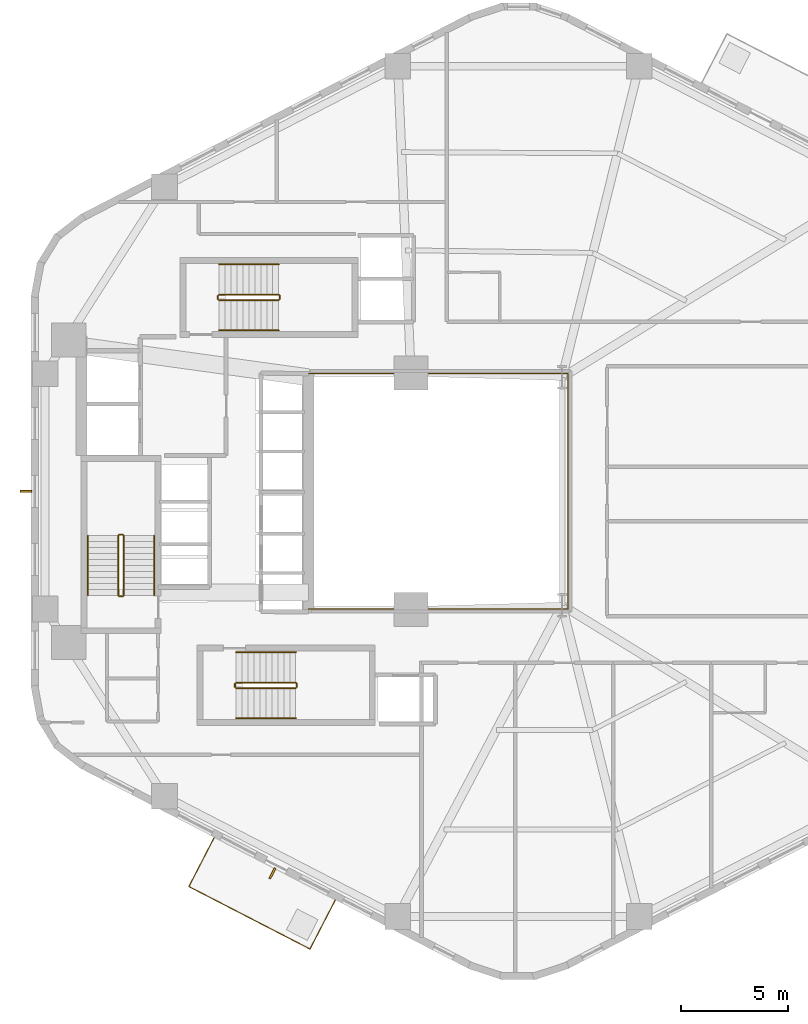
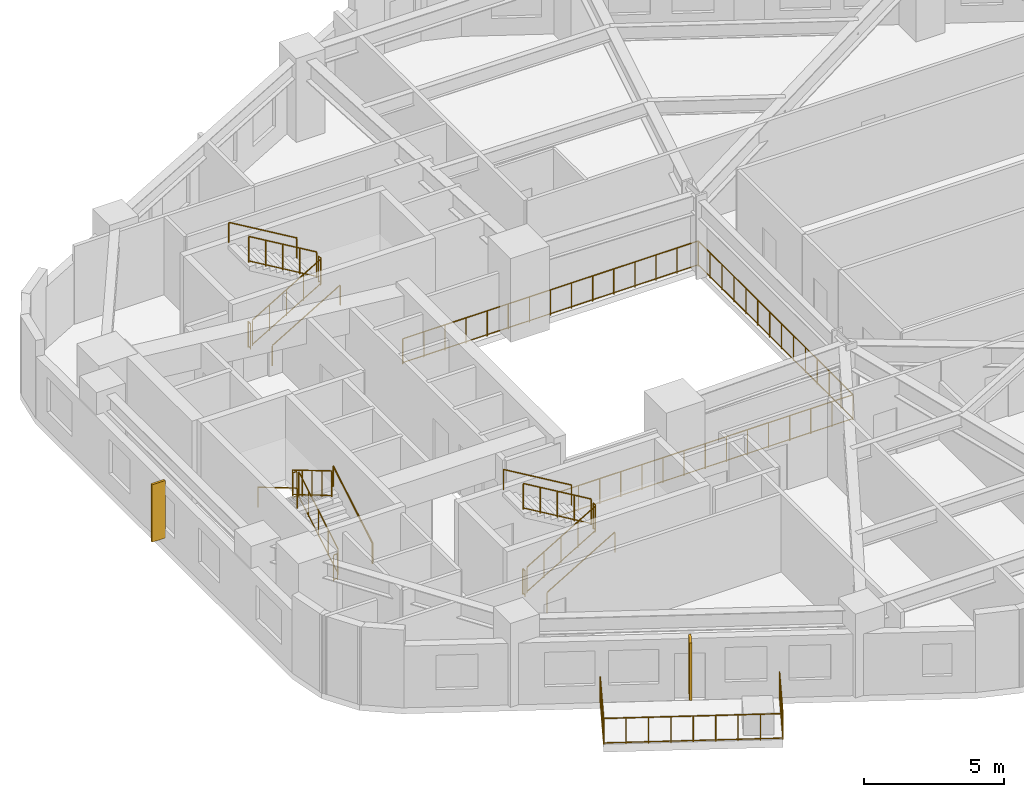
# One storey, part 7 of 8: 20 railings, 2 shading devices.
"""IFC4 building model written with IfcOpenShell, lengths in metres."""

from ifc_helpers import new_model, si_unit, direction, frame, origin, origin_2d, place, context, subcontext, project, spatial, rectangle, circle, extrude, material, type_object, element, save


model = new_model("IFC4")

# Units and contexts
model_context = context("Model", 3, precision=1e-05, world=origin(), true_north=direction((0.0, 1.0)))
body_context = subcontext(model_context, "Body", "Model", "MODEL_VIEW")
ifc_project = project(units=[si_unit("LENGTHUNIT", "METRE"), si_unit("AREAUNIT", "SQUARE_METRE"), si_unit("VOLUMEUNIT", "CUBIC_METRE"), si_unit("PLANEANGLEUNIT", "RADIAN"), si_unit("MASSUNIT", "GRAM", prefix="KILO"), si_unit("THERMODYNAMICTEMPERATUREUNIT", "KELVIN"), si_unit("POWERUNIT", "WATT")], contexts=[model_context])

# Site, building, storey
site_placement = place(None, origin())
site = spatial("IfcSite", under=ifc_project, at=site_placement, CompositionType="ELEMENT")
building_placement = place(site_placement, origin())
building = spatial("IfcBuilding", under=site, at=building_placement, Name="Skarre Station Tower", CompositionType="ELEMENT")
storey_placement = place(building_placement, frame((0.0, 0.0, 81.75)))
storey = spatial("IfcBuildingStorey", under=building, at=storey_placement, Name="L21", CompositionType="ELEMENT", Elevation=81.75)

# Railings
ifc_material_1 = material(Name="Bronze Anodized Steel & Laminated Glass Balustrade", Category="steel")
railing_type_1 = type_object("IfcRailingType", Name="Atrium Void & Mezzanine Guard Balustrade 1120", PredefinedType="GUARDRAIL", material=ifc_material_1)
railing_1_placement = place(storey_placement, frame((27.550048828125, 18.47998046875, 0.0)))
element("IfcRailing", 1, at=railing_1_placement, inside=storey, type_object=railing_type_1, Name="L21 Atrium Void Guard Balustrade", PredefinedType="GUARDRAIL", context=body_context, shape_type="SweptSolid", body=[
    extrude(circle(Radius=0.02392578125, at=origin_2d()), frame((0.0, 0.0, 1.09619140625), z_axis=(1.0, 0.0, 0.0), x_axis=(0.0, 1.0, 0.0)), (0.0, 0.0, 1.0), 12.169921875),
    extrude(circle(Radius=0.02099609375, at=origin_2d()), frame((0.0, 0.0, 0.06005859375), z_axis=(1.0, 0.0, 0.0), x_axis=(0.0, 1.0, 0.0)), (0.0, 0.0, 1.0), 12.169921875),
    extrude(circle(Radius=0.02392578125, at=origin_2d()), frame((12.169921875, 0.0, 1.09619140625), z_axis=(0.0, 1.0, 0.0), x_axis=(-1.0, 0.0, 0.0)), (0.0, 0.0, 1.0), 11.0400390625),
    extrude(circle(Radius=0.02099609375, at=origin_2d()), frame((12.169921875, 0.0, 0.06005859375), z_axis=(0.0, 1.0, 0.0), x_axis=(-1.0, 0.0, 0.0)), (0.0, 0.0, 1.0), 11.0400390625),
    extrude(circle(Radius=0.02392578125, at=origin_2d()), frame((12.169921875, 11.0400390625, 1.09619140625), z_axis=(-1.0, 0.0, 0.0), x_axis=(0.0, -1.0, 0.0)), (0.0, 0.0, 1.0), 12.169921875),
    extrude(circle(Radius=0.02099609375, at=origin_2d()), frame((12.169921875, 11.0400390625, 0.06005859375), z_axis=(-1.0, 0.0, 0.0), x_axis=(0.0, -1.0, 0.0)), (0.0, 0.0, 1.0), 12.169921875),
    extrude(circle(Radius=0.02099609375, at=origin_2d()), origin(), (0.0, 0.0, 1.0), 1.072021484375),
    extrude(circle(Radius=0.02099609375, at=origin_2d()), frame((0.869384765625, 0.0, 0.0)), (0.0, 0.0, 1.0), 1.072021484375),
    extrude(circle(Radius=0.02099609375, at=origin_2d()), frame((1.738525390625, 0.0, 0.0)), (0.0, 0.0, 1.0), 1.072021484375),
    extrude(circle(Radius=0.02099609375, at=origin_2d()), frame((2.60791015625, 0.0, 0.0)), (0.0, 0.0, 1.0), 1.072021484375),
    extrude(circle(Radius=0.02099609375, at=origin_2d()), frame((3.47705078125, 0.0, 0.0)), (0.0, 0.0, 1.0), 1.072021484375),
    extrude(circle(Radius=0.02099609375, at=origin_2d()), frame((4.346435546875, 0.0, 0.0)), (0.0, 0.0, 1.0), 1.072021484375),
    extrude(circle(Radius=0.02099609375, at=origin_2d()), frame((5.215576171875, 0.0, 0.0)), (0.0, 0.0, 1.0), 1.072021484375),
    extrude(circle(Radius=0.02099609375, at=origin_2d()), frame((6.0849609375, 0.0, 0.0)), (0.0, 0.0, 1.0), 1.072021484375),
    extrude(circle(Radius=0.02099609375, at=origin_2d()), frame((6.954345703125, 0.0, 0.0)), (0.0, 0.0, 1.0), 1.072021484375),
    extrude(circle(Radius=0.02099609375, at=origin_2d()), frame((7.823486328125, 0.0, 0.0)), (0.0, 0.0, 1.0), 1.072021484375),
    extrude(circle(Radius=0.02099609375, at=origin_2d()), frame((8.69287109375, 0.0, 0.0)), (0.0, 0.0, 1.0), 1.072021484375),
    extrude(circle(Radius=0.02099609375, at=origin_2d()), frame((9.56201171875, 0.0, 0.0)), (0.0, 0.0, 1.0), 1.072021484375),
    extrude(circle(Radius=0.02099609375, at=origin_2d()), frame((10.431396484375, 0.0, 0.0)), (0.0, 0.0, 1.0), 1.072021484375),
    extrude(circle(Radius=0.02099609375, at=origin_2d()), frame((11.300537109375, 0.0, 0.0)), (0.0, 0.0, 1.0), 1.072021484375),
    extrude(circle(Radius=0.02099609375, at=origin_2d()), frame((12.169921875, 0.0, 0.0)), (0.0, 0.0, 1.0), 1.072021484375),
    extrude(circle(Radius=0.02099609375, at=origin_2d()), frame((12.169921875, 0.84912109375, 0.0)), (0.0, 0.0, 1.0), 1.072021484375),
    extrude(circle(Radius=0.02099609375, at=origin_2d()), frame((12.169921875, 1.698486328125, 0.0)), (0.0, 0.0, 1.0), 1.072021484375),
    extrude(circle(Radius=0.02099609375, at=origin_2d()), frame((12.169921875, 2.547607421875, 0.0)), (0.0, 0.0, 1.0), 1.072021484375),
    extrude(circle(Radius=0.02099609375, at=origin_2d()), frame((12.169921875, 3.39697265625, 0.0)), (0.0, 0.0, 1.0), 1.072021484375),
    extrude(circle(Radius=0.02099609375, at=origin_2d()), frame((12.169921875, 4.24609375, 0.0)), (0.0, 0.0, 1.0), 1.072021484375),
    extrude(circle(Radius=0.02099609375, at=origin_2d()), frame((12.169921875, 5.095458984375, 0.0)), (0.0, 0.0, 1.0), 1.072021484375),
    extrude(circle(Radius=0.02099609375, at=origin_2d()), frame((12.169921875, 5.944580078125, 0.0)), (0.0, 0.0, 1.0), 1.072021484375),
    extrude(circle(Radius=0.02099609375, at=origin_2d()), frame((12.169921875, 6.7939453125, 0.0)), (0.0, 0.0, 1.0), 1.072021484375),
    extrude(circle(Radius=0.02099609375, at=origin_2d()), frame((12.169921875, 7.64306640625, 0.0)), (0.0, 0.0, 1.0), 1.072021484375),
    extrude(circle(Radius=0.02099609375, at=origin_2d()), frame((12.169921875, 8.492431640625, 0.0)), (0.0, 0.0, 1.0), 1.072021484375),
    extrude(circle(Radius=0.02099609375, at=origin_2d()), frame((12.169921875, 9.341552734375, 0.0)), (0.0, 0.0, 1.0), 1.072021484375),
    extrude(circle(Radius=0.02099609375, at=origin_2d()), frame((12.169921875, 10.19091796875, 0.0)), (0.0, 0.0, 1.0), 1.072021484375),
    extrude(circle(Radius=0.02099609375, at=origin_2d()), frame((12.169921875, 11.0400390625, 0.0)), (0.0, 0.0, 1.0), 1.072021484375),
    extrude(circle(Radius=0.02099609375, at=origin_2d()), frame((11.300537109375, 11.0400390625, 0.0)), (0.0, 0.0, 1.0), 1.072021484375),
    extrude(circle(Radius=0.02099609375, at=origin_2d()), frame((10.431396484375, 11.0400390625, 0.0)), (0.0, 0.0, 1.0), 1.072021484375),
    extrude(circle(Radius=0.02099609375, at=origin_2d()), frame((9.56201171875, 11.0400390625, 0.0)), (0.0, 0.0, 1.0), 1.072021484375),
    extrude(circle(Radius=0.02099609375, at=origin_2d()), frame((8.69287109375, 11.0400390625, 0.0)), (0.0, 0.0, 1.0), 1.072021484375),
    extrude(circle(Radius=0.02099609375, at=origin_2d()), frame((7.823486328125, 11.0400390625, 0.0)), (0.0, 0.0, 1.0), 1.072021484375),
    extrude(circle(Radius=0.02099609375, at=origin_2d()), frame((6.954345703125, 11.0400390625, 0.0)), (0.0, 0.0, 1.0), 1.072021484375),
    extrude(circle(Radius=0.02099609375, at=origin_2d()), frame((6.0849609375, 11.0400390625, 0.0)), (0.0, 0.0, 1.0), 1.072021484375),
    extrude(circle(Radius=0.02099609375, at=origin_2d()), frame((5.215576171875, 11.0400390625, 0.0)), (0.0, 0.0, 1.0), 1.072021484375),
    extrude(circle(Radius=0.02099609375, at=origin_2d()), frame((4.346435546875, 11.0400390625, 0.0)), (0.0, 0.0, 1.0), 1.072021484375),
    extrude(circle(Radius=0.02099609375, at=origin_2d()), frame((3.47705078125, 11.0400390625, 0.0)), (0.0, 0.0, 1.0), 1.072021484375),
    extrude(circle(Radius=0.02099609375, at=origin_2d()), frame((2.60791015625, 11.0400390625, 0.0)), (0.0, 0.0, 1.0), 1.072021484375),
    extrude(circle(Radius=0.02099609375, at=origin_2d()), frame((1.738525390625, 11.0400390625, 0.0)), (0.0, 0.0, 1.0), 1.072021484375),
    extrude(circle(Radius=0.02099609375, at=origin_2d()), frame((0.869384765625, 11.0400390625, 0.0)), (0.0, 0.0, 1.0), 1.072021484375),
    extrude(circle(Radius=0.02099609375, at=origin_2d()), frame((0.0, 11.0400390625, 0.0)), (0.0, 0.0, 1.0), 1.072021484375),
])
ifc_material_2 = material(Name="Stainless Steel Grade 316L & Laminated Safety Glass", Category="steel")
railing_type_2 = type_object("IfcRailingType", Name="Laminated Glass & Stainless Terrace Guardrail 1150", PredefinedType="BALUSTRADE", material=ifc_material_2)
railing_2_placement = place(storey_placement, frame((23.1201171875, 7.759033203125, 0.0)))
element("IfcRailing", 2, at=railing_2_placement, inside=storey, type_object=railing_type_2, Name="L21 TB-L21-F3 Tree-Balcony Guardrail", PredefinedType="BALUSTRADE", context=body_context, shape_type="SweptSolid", body=[
    extrude(circle(Radius=0.02392578125, at=origin_2d()), frame((0.0, 0.0, 1.1259765625), z_axis=(-0.458674126871, -0.88860454947, 0.0), x_axis=(0.88860454947, -0.458674126871, 0.0)), (0.0, 0.0, 1.0), 2.590576171875),
    extrude(circle(Radius=0.02099609375, at=origin_2d()), frame((0.0, 0.0, 0.06005859375), z_axis=(-0.458674126871, -0.88860454947, 0.0), x_axis=(0.88860454947, -0.458674126871, 0.0)), (0.0, 0.0, 1.0), 2.590576171875),
    extrude(circle(Radius=0.02392578125, at=origin_2d()), frame((-1.188232421875, -2.302001953125, 1.1259765625), z_axis=(0.888671800122, -0.458543816519, 0.0), x_axis=(0.458543816519, 0.888671800122, 0.0)), (0.0, 0.0, 1.0), 6.40087890625),
    extrude(circle(Radius=0.02099609375, at=origin_2d()), frame((-1.188232421875, -2.302001953125, 0.06005859375), z_axis=(0.888671800122, -0.458543816519, 0.0), x_axis=(0.458543816519, 0.888671800122, 0.0)), (0.0, 0.0, 1.0), 6.40087890625),
    extrude(circle(Radius=0.02392578125, at=origin_2d()), frame((4.5, -5.237060546875, 1.1259765625), z_axis=(0.458599707136, 0.888642959019, 0.0), x_axis=(-0.888642959019, 0.458599707136, 0.0)), (0.0, 0.0, 1.0), 2.590576171875),
    extrude(circle(Radius=0.02099609375, at=origin_2d()), frame((4.5, -5.237060546875, 0.06005859375), z_axis=(0.458599707136, 0.888642959019, 0.0), x_axis=(-0.888642959019, 0.458599707136, 0.0)), (0.0, 0.0, 1.0), 2.590576171875),
    extrude(circle(Radius=0.02099609375, at=origin_2d()), origin(), (0.0, 0.0, 1.0), 1.101806640625),
    extrude(circle(Radius=0.02099609375, at=origin_2d()), frame((-0.39599609375, -0.767333984375, 0.0)), (0.0, 0.0, 1.0), 1.101806640625),
    extrude(circle(Radius=0.02099609375, at=origin_2d()), frame((-0.792236328125, -1.53466796875, 0.0)), (0.0, 0.0, 1.0), 1.101806640625),
    extrude(circle(Radius=0.02099609375, at=origin_2d()), frame((-1.188232421875, -2.302001953125, 0.0)), (0.0, 0.0, 1.0), 1.101806640625),
    extrude(circle(Radius=0.02099609375, at=origin_2d()), frame((-0.477294921875, -2.6689453125, 0.0)), (0.0, 0.0, 1.0), 1.101806640625),
    extrude(circle(Radius=0.02099609375, at=origin_2d()), frame((0.23388671875, -3.03564453125, 0.0)), (0.0, 0.0, 1.0), 1.101806640625),
    extrude(circle(Radius=0.02099609375, at=origin_2d()), frame((0.94482421875, -3.402587890625, 0.0)), (0.0, 0.0, 1.0), 1.101806640625),
    extrude(circle(Radius=0.02099609375, at=origin_2d()), frame((1.65576171875, -3.76953125, 0.0)), (0.0, 0.0, 1.0), 1.101806640625),
    extrude(circle(Radius=0.02099609375, at=origin_2d()), frame((2.366943359375, -4.136474609375, 0.0)), (0.0, 0.0, 1.0), 1.101806640625),
    extrude(circle(Radius=0.02099609375, at=origin_2d()), frame((3.077880859375, -4.50341796875, 0.0)), (0.0, 0.0, 1.0), 1.101806640625),
    extrude(circle(Radius=0.02099609375, at=origin_2d()), frame((3.7890625, -4.8701171875, 0.0)), (0.0, 0.0, 1.0), 1.101806640625),
    extrude(circle(Radius=0.02099609375, at=origin_2d()), frame((4.5, -5.237060546875, 0.0)), (0.0, 0.0, 1.0), 1.101806640625),
    extrude(circle(Radius=0.02099609375, at=origin_2d()), frame((4.89599609375, -4.4697265625, 0.0)), (0.0, 0.0, 1.0), 1.101806640625),
    extrude(circle(Radius=0.02099609375, at=origin_2d()), frame((5.2919921875, -3.702392578125, 0.0)), (0.0, 0.0, 1.0), 1.101806640625),
    extrude(circle(Radius=0.02099609375, at=origin_2d()), frame((5.68798828125, -2.93505859375, 0.0)), (0.0, 0.0, 1.0), 1.101806640625),
])

# Shading devices
ifc_material_3 = material(Name="Bronze Anodized Extruded Aluminium 6063-T6", Category="aluminium")
shading_device_type = type_object("IfcShadingDeviceType", Name="Nordic Bronze Vertical Solar Fin 550x90", PredefinedType="SHUTTER", material=ifc_material_3)
for number, where, z_axis, x_axis, name in (
    (3, (14.287109375, 24.0, 0.35009765625), (0.0, 0.0, 1.0), (-1.0, 0.0, 0.0), "L21 Facet 2 Bronze Solar Fin"),
    (4, (25.85400390625, 6.077880859375, 0.35009765625), (0.0, 0.0, 1.0), (-0.458618535612, -0.888633242003, 0.0), "L21 Facet 3 Bronze Solar Fin"),
):
    element("IfcShadingDevice", number, at=place(storey_placement, frame(where, z_axis=z_axis, x_axis=x_axis)), inside=storey, type_object=shading_device_type, Name=name, PredefinedType="SHUTTER", context=body_context, shape_type="SweptSolid", body=[
        extrude(rectangle(XDim=0.550048828125, YDim=0.090087890625, at=origin_2d()), origin(), (0.0, 0.0, 1.0), 2.5),
    ])

# Railings
ifc_material_4 = material(Name="Powder-Coated Tubular Steel", Category="steel")
railing_type_3 = type_object("IfcRailingType", Name="Painted Steel Ramp & Stair Handrail 920", PredefinedType="HANDRAIL", material=ifc_material_4)
railing_3_placement = place(storey_placement, frame((20.300048828125, 19.1201171875, 0.166015625)))
element("IfcRailing", 5, at=railing_3_placement, inside=storey, type_object=railing_type_3, Name="L21 ST-1 stair handrail 1", PredefinedType="HANDRAIL", context=body_context, shape_type="SweptSolid", body=[
    extrude(circle(Radius=0.02392578125, at=origin_2d()), frame((0.0, 0.0, 0.8759765625), z_axis=(0.0, 0.860319559791, 0.509755093197), x_axis=(-1.0, 0.0, 0.0)), (0.0, 0.0, 1.0), 3.25439453125),
    extrude(circle(Radius=0.02099609375, at=origin_2d()), origin(), (0.0, 0.0, 1.0), 0.851806640625),
    extrude(circle(Radius=0.02099609375, at=origin_2d()), frame((0.0, 2.7998046875, 1.658935546875)), (0.0, 0.0, 1.0), 0.851806640625),
])
railing_4_placement = place(storey_placement, frame((17.199951171875, 21.919921875, 1.990966796875)))
element("IfcRailing", 6, at=railing_4_placement, inside=storey, type_object=railing_type_3, Name="L21 ST-1 stair handrail 2", PredefinedType="HANDRAIL", context=body_context, shape_type="SweptSolid", body=[
    extrude(circle(Radius=0.02392578125, at=origin_2d()), frame((0.0, 0.0, 0.8759765625), z_axis=(0.0, -0.860319559791, 0.509755093197), x_axis=(1.0, 0.0, 0.0)), (0.0, 0.0, 1.0), 3.25439453125),
    extrude(circle(Radius=0.02099609375, at=origin_2d()), origin(), (0.0, 0.0, 1.0), 0.851806640625),
    extrude(circle(Radius=0.02099609375, at=origin_2d()), frame((0.0, -2.7998046875, 1.658935546875)), (0.0, 0.0, 1.0), 0.851806640625),
])
railing_5_placement = place(storey_placement, frame((24.14990234375, 13.35009765625, 0.166015625)))
element("IfcRailing", 7, at=railing_5_placement, inside=storey, type_object=railing_type_3, Name="L21 ST-2 stair handrail 1", PredefinedType="HANDRAIL", context=body_context, shape_type="SweptSolid", body=[
    extrude(circle(Radius=0.02392578125, at=origin_2d()), frame((0.0, 0.0, 0.8759765625), z_axis=(0.860339051648, 0.0, 0.50972219513), x_axis=(0.0, 1.0, 0.0)), (0.0, 0.0, 1.0), 3.254638671875),
    extrude(circle(Radius=0.02099609375, at=origin_2d()), origin(), (0.0, 0.0, 1.0), 0.851806640625),
    extrude(circle(Radius=0.02099609375, at=origin_2d()), frame((2.800048828125, 0.0, 1.658935546875)), (0.0, 0.0, 1.0), 0.851806640625),
])
railing_6_placement = place(storey_placement, frame((26.949951171875, 16.449951171875, 1.990966796875)))
element("IfcRailing", 8, at=railing_6_placement, inside=storey, type_object=railing_type_3, Name="L21 ST-2 stair handrail 2", PredefinedType="HANDRAIL", context=body_context, shape_type="SweptSolid", body=[
    extrude(circle(Radius=0.02392578125, at=origin_2d()), frame((0.0, 0.0, 0.8759765625), z_axis=(-0.860339051648, 0.0, 0.50972219513), x_axis=(0.0, -1.0, 0.0)), (0.0, 0.0, 1.0), 3.254638671875),
    extrude(circle(Radius=0.02099609375, at=origin_2d()), origin(), (0.0, 0.0, 1.0), 0.851806640625),
    extrude(circle(Radius=0.02099609375, at=origin_2d()), frame((-2.800048828125, 0.0, 1.658935546875)), (0.0, 0.0, 1.0), 0.851806640625),
])
railing_7_placement = place(storey_placement, frame((23.35009765625, 31.550048828125, 0.166015625)))
element("IfcRailing", 9, at=railing_7_placement, inside=storey, type_object=railing_type_3, Name="L21 ST-3 stair handrail 1", PredefinedType="HANDRAIL", context=body_context, shape_type="SweptSolid", body=[
    extrude(circle(Radius=0.02392578125, at=origin_2d()), frame((0.0, 0.0, 0.8759765625), z_axis=(0.860319559791, 0.0, 0.509755093197), x_axis=(0.0, 1.0, 0.0)), (0.0, 0.0, 1.0), 3.25439453125),
    extrude(circle(Radius=0.02099609375, at=origin_2d()), origin(), (0.0, 0.0, 1.0), 0.851806640625),
    extrude(circle(Radius=0.02099609375, at=origin_2d()), frame((2.7998046875, 0.0, 1.658935546875)), (0.0, 0.0, 1.0), 0.851806640625),
])
railing_8_placement = place(storey_placement, frame((26.14990234375, 34.64990234375, 1.990966796875)))
element("IfcRailing", 10, at=railing_8_placement, inside=storey, type_object=railing_type_3, Name="L21 ST-3 stair handrail 2", PredefinedType="HANDRAIL", context=body_context, shape_type="SweptSolid", body=[
    extrude(circle(Radius=0.02392578125, at=origin_2d()), frame((0.0, 0.0, 0.8759765625), z_axis=(-0.860319559791, 0.0, 0.509755093197), x_axis=(0.0, -1.0, 0.0)), (0.0, 0.0, 1.0), 3.25439453125),
    extrude(circle(Radius=0.02099609375, at=origin_2d()), origin(), (0.0, 0.0, 1.0), 0.851806640625),
    extrude(circle(Radius=0.02099609375, at=origin_2d()), frame((-2.7998046875, 0.0, 1.658935546875)), (0.0, 0.0, 1.0), 0.851806640625),
])
railing_type_4 = type_object("IfcRailingType", Name="Painted Steel Stairwell Guardrail 1100", PredefinedType="GUARDRAIL", material=ifc_material_4)
railing_9_placement = place(storey_placement, frame((18.8798828125, 19.1201171875, 0.166015625)))
element("IfcRailing", 11, at=railing_9_placement, inside=storey, type_object=railing_type_4, Name="L21 ST-1 stair guard 1", PredefinedType="GUARDRAIL", context=body_context, shape_type="SweptSolid", body=[
    extrude(circle(Radius=0.02392578125, at=origin_2d()), frame((0.0, 0.0, 1.1259765625), z_axis=(0.0, 0.860319559791, 0.509755093197), x_axis=(-1.0, 0.0, 0.0)), (0.0, 0.0, 1.0), 3.25439453125),
    extrude(circle(Radius=0.02099609375, at=origin_2d()), frame((0.0, 0.0, 0.06005859375), z_axis=(0.0, 0.860319559791, 0.509755093197), x_axis=(-1.0, 0.0, 0.0)), (0.0, 0.0, 1.0), 3.25439453125),
    extrude(circle(Radius=0.02099609375, at=origin_2d()), origin(), (0.0, 0.0, 1.0), 1.101806640625),
    extrude(circle(Radius=0.02099609375, at=origin_2d()), frame((0.0, 0.699951171875, 0.414794921875)), (0.0, 0.0, 1.0), 1.101806640625),
    extrude(circle(Radius=0.02099609375, at=origin_2d()), frame((0.0, 1.39990234375, 0.82958984375)), (0.0, 0.0, 1.0), 1.101806640625),
    extrude(circle(Radius=0.02099609375, at=origin_2d()), frame((0.0, 2.099853515625, 1.244140625)), (0.0, 0.0, 1.0), 1.101806640625),
    extrude(circle(Radius=0.02099609375, at=origin_2d()), frame((0.0, 2.7998046875, 1.658935546875)), (0.0, 0.0, 1.0), 1.101806640625),
])
railing_10_placement = place(storey_placement, frame((18.830078125, 21.969970703125, 1.824951171875)))
element("IfcRailing", 12, at=railing_10_placement, inside=storey, type_object=railing_type_4, Name="L21 ST-1 stair guard 2", PredefinedType="GUARDRAIL", context=body_context, shape_type="SweptSolid", body=[
    extrude(circle(Radius=0.02392578125, at=origin_2d()), frame((0.0, 0.0, 1.1259765625), z_axis=(-1.0, 0.0, 0.0), x_axis=(0.0, -1.0, 0.0)), (0.0, 0.0, 1.0), 0.16015625),
    extrude(circle(Radius=0.02099609375, at=origin_2d()), frame((0.0, 0.0, 0.06005859375), z_axis=(-1.0, 0.0, 0.0), x_axis=(0.0, -1.0, 0.0)), (0.0, 0.0, 1.0), 0.16015625),
    extrude(circle(Radius=0.02099609375, at=origin_2d()), origin(), (0.0, 0.0, 1.0), 1.101806640625),
    extrude(circle(Radius=0.02099609375, at=origin_2d()), frame((-0.16015625, 0.0, 0.0)), (0.0, 0.0, 1.0), 1.101806640625),
])
railing_11_placement = place(storey_placement, frame((18.6201171875, 21.919921875, 1.990966796875)))
element("IfcRailing", 13, at=railing_11_placement, inside=storey, type_object=railing_type_4, Name="L21 ST-1 stair guard 3", PredefinedType="GUARDRAIL", context=body_context, shape_type="SweptSolid", body=[
    extrude(circle(Radius=0.02392578125, at=origin_2d()), frame((0.0, 0.0, 1.1259765625), z_axis=(0.0, -0.860319559791, 0.509755093197), x_axis=(1.0, 0.0, 0.0)), (0.0, 0.0, 1.0), 3.25439453125),
    extrude(circle(Radius=0.02099609375, at=origin_2d()), frame((0.0, 0.0, 0.06005859375), z_axis=(0.0, -0.860319559791, 0.509755093197), x_axis=(1.0, 0.0, 0.0)), (0.0, 0.0, 1.0), 3.25439453125),
    extrude(circle(Radius=0.02099609375, at=origin_2d()), origin(), (0.0, 0.0, 1.0), 1.101806640625),
    extrude(circle(Radius=0.02099609375, at=origin_2d()), frame((0.0, -0.699951171875, 0.414794921875)), (0.0, 0.0, 1.0), 1.101806640625),
    extrude(circle(Radius=0.02099609375, at=origin_2d()), frame((0.0, -1.39990234375, 0.82958984375)), (0.0, 0.0, 1.0), 1.101806640625),
    extrude(circle(Radius=0.02099609375, at=origin_2d()), frame((0.0, -2.099853515625, 1.244140625)), (0.0, 0.0, 1.0), 1.101806640625),
    extrude(circle(Radius=0.02099609375, at=origin_2d()), frame((0.0, -2.7998046875, 1.658935546875)), (0.0, 0.0, 1.0), 1.101806640625),
])
railing_12_placement = place(storey_placement, frame((18.830078125, 19.070068359375, 0.0)))
element("IfcRailing", 14, at=railing_12_placement, inside=storey, type_object=railing_type_4, Name="L21 ST-1 stair guard 4", PredefinedType="GUARDRAIL", context=body_context, shape_type="SweptSolid", body=[
    extrude(circle(Radius=0.02392578125, at=origin_2d()), frame((0.0, 0.0, 1.1259765625), z_axis=(-1.0, 0.0, 0.0), x_axis=(0.0, -1.0, 0.0)), (0.0, 0.0, 1.0), 0.16015625),
    extrude(circle(Radius=0.02099609375, at=origin_2d()), frame((0.0, 0.0, 0.06005859375), z_axis=(-1.0, 0.0, 0.0), x_axis=(0.0, -1.0, 0.0)), (0.0, 0.0, 1.0), 0.16015625),
    extrude(circle(Radius=0.02099609375, at=origin_2d()), origin(), (0.0, 0.0, 1.0), 1.101806640625),
    extrude(circle(Radius=0.02099609375, at=origin_2d()), frame((-0.16015625, 0.0, 0.0)), (0.0, 0.0, 1.0), 1.101806640625),
])
railing_13_placement = place(storey_placement, frame((24.14990234375, 14.77001953125, 0.166015625)))
element("IfcRailing", 15, at=railing_13_placement, inside=storey, type_object=railing_type_4, Name="L21 ST-2 stair guard 1", PredefinedType="GUARDRAIL", context=body_context, shape_type="SweptSolid", body=[
    extrude(circle(Radius=0.02392578125, at=origin_2d()), frame((0.0, 0.0, 1.1259765625), z_axis=(0.860339051648, 0.0, 0.50972219513), x_axis=(0.0, 1.0, 0.0)), (0.0, 0.0, 1.0), 3.254638671875),
    extrude(circle(Radius=0.02099609375, at=origin_2d()), frame((0.0, 0.0, 0.06005859375), z_axis=(0.860339051648, 0.0, 0.50972219513), x_axis=(0.0, 1.0, 0.0)), (0.0, 0.0, 1.0), 3.254638671875),
    extrude(circle(Radius=0.02099609375, at=origin_2d()), origin(), (0.0, 0.0, 1.0), 1.101806640625),
    extrude(circle(Radius=0.02099609375, at=origin_2d()), frame((0.699951171875, 0.0, 0.414794921875)), (0.0, 0.0, 1.0), 1.101806640625),
    extrude(circle(Radius=0.02099609375, at=origin_2d()), frame((1.39990234375, 0.0, 0.82958984375)), (0.0, 0.0, 1.0), 1.101806640625),
    extrude(circle(Radius=0.02099609375, at=origin_2d()), frame((2.10009765625, 0.0, 1.244140625)), (0.0, 0.0, 1.0), 1.101806640625),
    extrude(circle(Radius=0.02099609375, at=origin_2d()), frame((2.800048828125, 0.0, 1.658935546875)), (0.0, 0.0, 1.0), 1.101806640625),
])
railing_14_placement = place(storey_placement, frame((27.0, 14.820068359375, 1.824951171875)))
element("IfcRailing", 16, at=railing_14_placement, inside=storey, type_object=railing_type_4, Name="L21 ST-2 stair guard 2", PredefinedType="GUARDRAIL", context=body_context, shape_type="SweptSolid", body=[
    extrude(circle(Radius=0.02392578125, at=origin_2d()), frame((0.0, 0.0, 1.1259765625), z_axis=(0.0, 1.0, 0.0), x_axis=(-1.0, 0.0, 0.0)), (0.0, 0.0, 1.0), 0.159912109375),
    extrude(circle(Radius=0.02099609375, at=origin_2d()), frame((0.0, 0.0, 0.06005859375), z_axis=(0.0, 1.0, 0.0), x_axis=(-1.0, 0.0, 0.0)), (0.0, 0.0, 1.0), 0.159912109375),
    extrude(circle(Radius=0.02099609375, at=origin_2d()), origin(), (0.0, 0.0, 1.0), 1.101806640625),
    extrude(circle(Radius=0.02099609375, at=origin_2d()), frame((0.0, 0.159912109375, 0.0)), (0.0, 0.0, 1.0), 1.101806640625),
])
railing_15_placement = place(storey_placement, frame((26.949951171875, 15.030029296875, 1.990966796875)))
element("IfcRailing", 17, at=railing_15_placement, inside=storey, type_object=railing_type_4, Name="L21 ST-2 stair guard 3", PredefinedType="GUARDRAIL", context=body_context, shape_type="SweptSolid", body=[
    extrude(circle(Radius=0.02392578125, at=origin_2d()), frame((0.0, 0.0, 1.1259765625), z_axis=(-0.860339051648, 0.0, 0.50972219513), x_axis=(0.0, -1.0, 0.0)), (0.0, 0.0, 1.0), 3.254638671875),
    extrude(circle(Radius=0.02099609375, at=origin_2d()), frame((0.0, 0.0, 0.06005859375), z_axis=(-0.860339051648, 0.0, 0.50972219513), x_axis=(0.0, -1.0, 0.0)), (0.0, 0.0, 1.0), 3.254638671875),
    extrude(circle(Radius=0.02099609375, at=origin_2d()), origin(), (0.0, 0.0, 1.0), 1.101806640625),
    extrude(circle(Radius=0.02099609375, at=origin_2d()), frame((-0.699951171875, 0.0, 0.414794921875)), (0.0, 0.0, 1.0), 1.101806640625),
    extrude(circle(Radius=0.02099609375, at=origin_2d()), frame((-1.39990234375, 0.0, 0.82958984375)), (0.0, 0.0, 1.0), 1.101806640625),
    extrude(circle(Radius=0.02099609375, at=origin_2d()), frame((-2.10009765625, 0.0, 1.244140625)), (0.0, 0.0, 1.0), 1.101806640625),
    extrude(circle(Radius=0.02099609375, at=origin_2d()), frame((-2.800048828125, 0.0, 1.658935546875)), (0.0, 0.0, 1.0), 1.101806640625),
])
railing_16_placement = place(storey_placement, frame((24.10009765625, 14.820068359375, 0.0)))
element("IfcRailing", 18, at=railing_16_placement, inside=storey, type_object=railing_type_4, Name="L21 ST-2 stair guard 4", PredefinedType="GUARDRAIL", context=body_context, shape_type="SweptSolid", body=[
    extrude(circle(Radius=0.02392578125, at=origin_2d()), frame((0.0, 0.0, 1.1259765625), z_axis=(0.0, 1.0, 0.0), x_axis=(-1.0, 0.0, 0.0)), (0.0, 0.0, 1.0), 0.159912109375),
    extrude(circle(Radius=0.02099609375, at=origin_2d()), frame((0.0, 0.0, 0.06005859375), z_axis=(0.0, 1.0, 0.0), x_axis=(-1.0, 0.0, 0.0)), (0.0, 0.0, 1.0), 0.159912109375),
    extrude(circle(Radius=0.02099609375, at=origin_2d()), origin(), (0.0, 0.0, 1.0), 1.101806640625),
    extrude(circle(Radius=0.02099609375, at=origin_2d()), frame((0.0, 0.159912109375, 0.0)), (0.0, 0.0, 1.0), 1.101806640625),
])
railing_17_placement = place(storey_placement, frame((23.35009765625, 32.969970703125, 0.166015625)))
element("IfcRailing", 19, at=railing_17_placement, inside=storey, type_object=railing_type_4, Name="L21 ST-3 stair guard 1", PredefinedType="GUARDRAIL", context=body_context, shape_type="SweptSolid", body=[
    extrude(circle(Radius=0.02392578125, at=origin_2d()), frame((0.0, 0.0, 1.1259765625), z_axis=(0.860319559791, 0.0, 0.509755093197), x_axis=(0.0, 1.0, 0.0)), (0.0, 0.0, 1.0), 3.25439453125),
    extrude(circle(Radius=0.02099609375, at=origin_2d()), frame((0.0, 0.0, 0.06005859375), z_axis=(0.860319559791, 0.0, 0.509755093197), x_axis=(0.0, 1.0, 0.0)), (0.0, 0.0, 1.0), 3.25439453125),
    extrude(circle(Radius=0.02099609375, at=origin_2d()), origin(), (0.0, 0.0, 1.0), 1.101806640625),
    extrude(circle(Radius=0.02099609375, at=origin_2d()), frame((0.699951171875, 0.0, 0.414794921875)), (0.0, 0.0, 1.0), 1.101806640625),
    extrude(circle(Radius=0.02099609375, at=origin_2d()), frame((1.39990234375, 0.0, 0.82958984375)), (0.0, 0.0, 1.0), 1.101806640625),
    extrude(circle(Radius=0.02099609375, at=origin_2d()), frame((2.099853515625, 0.0, 1.244140625)), (0.0, 0.0, 1.0), 1.101806640625),
    extrude(circle(Radius=0.02099609375, at=origin_2d()), frame((2.7998046875, 0.0, 1.658935546875)), (0.0, 0.0, 1.0), 1.101806640625),
])
railing_18_placement = place(storey_placement, frame((26.199951171875, 33.02001953125, 1.824951171875)))
element("IfcRailing", 20, at=railing_18_placement, inside=storey, type_object=railing_type_4, Name="L21 ST-3 stair guard 2", PredefinedType="GUARDRAIL", context=body_context, shape_type="SweptSolid", body=[
    extrude(circle(Radius=0.02392578125, at=origin_2d()), frame((0.0, 0.0, 1.1259765625), z_axis=(0.0, 1.0, 0.0), x_axis=(-1.0, 0.0, 0.0)), (0.0, 0.0, 1.0), 0.159912109375),
    extrude(circle(Radius=0.02099609375, at=origin_2d()), frame((0.0, 0.0, 0.06005859375), z_axis=(0.0, 1.0, 0.0), x_axis=(-1.0, 0.0, 0.0)), (0.0, 0.0, 1.0), 0.159912109375),
    extrude(circle(Radius=0.02099609375, at=origin_2d()), origin(), (0.0, 0.0, 1.0), 1.101806640625),
    extrude(circle(Radius=0.02099609375, at=origin_2d()), frame((0.0, 0.159912109375, 0.0)), (0.0, 0.0, 1.0), 1.101806640625),
])
railing_19_placement = place(storey_placement, frame((26.14990234375, 33.22998046875, 1.990966796875)))
element("IfcRailing", 21, at=railing_19_placement, inside=storey, type_object=railing_type_4, Name="L21 ST-3 stair guard 3", PredefinedType="GUARDRAIL", context=body_context, shape_type="SweptSolid", body=[
    extrude(circle(Radius=0.02392578125, at=origin_2d()), frame((0.0, 0.0, 1.1259765625), z_axis=(-0.860319559791, 0.0, 0.509755093197), x_axis=(0.0, -1.0, 0.0)), (0.0, 0.0, 1.0), 3.25439453125),
    extrude(circle(Radius=0.02099609375, at=origin_2d()), frame((0.0, 0.0, 0.06005859375), z_axis=(-0.860319559791, 0.0, 0.509755093197), x_axis=(0.0, -1.0, 0.0)), (0.0, 0.0, 1.0), 3.25439453125),
    extrude(circle(Radius=0.02099609375, at=origin_2d()), origin(), (0.0, 0.0, 1.0), 1.101806640625),
    extrude(circle(Radius=0.02099609375, at=origin_2d()), frame((-0.699951171875, 0.0, 0.414794921875)), (0.0, 0.0, 1.0), 1.101806640625),
    extrude(circle(Radius=0.02099609375, at=origin_2d()), frame((-1.39990234375, 0.0, 0.82958984375)), (0.0, 0.0, 1.0), 1.101806640625),
    extrude(circle(Radius=0.02099609375, at=origin_2d()), frame((-2.099853515625, 0.0, 1.244140625)), (0.0, 0.0, 1.0), 1.101806640625),
    extrude(circle(Radius=0.02099609375, at=origin_2d()), frame((-2.7998046875, 0.0, 1.658935546875)), (0.0, 0.0, 1.0), 1.101806640625),
])
railing_20_placement = place(storey_placement, frame((23.300048828125, 33.02001953125, 0.0)))
element("IfcRailing", 22, at=railing_20_placement, inside=storey, type_object=railing_type_4, Name="L21 ST-3 stair guard 4", PredefinedType="GUARDRAIL", context=body_context, shape_type="SweptSolid", body=[
    extrude(circle(Radius=0.02392578125, at=origin_2d()), frame((0.0, 0.0, 1.1259765625), z_axis=(0.0, 1.0, 0.0), x_axis=(-1.0, 0.0, 0.0)), (0.0, 0.0, 1.0), 0.159912109375),
    extrude(circle(Radius=0.02099609375, at=origin_2d()), frame((0.0, 0.0, 0.06005859375), z_axis=(0.0, 1.0, 0.0), x_axis=(-1.0, 0.0, 0.0)), (0.0, 0.0, 1.0), 0.159912109375),
    extrude(circle(Radius=0.02099609375, at=origin_2d()), origin(), (0.0, 0.0, 1.0), 1.101806640625),
    extrude(circle(Radius=0.02099609375, at=origin_2d()), frame((0.0, 0.159912109375, 0.0)), (0.0, 0.0, 1.0), 1.101806640625),
])

save(model, "model.ifc")
